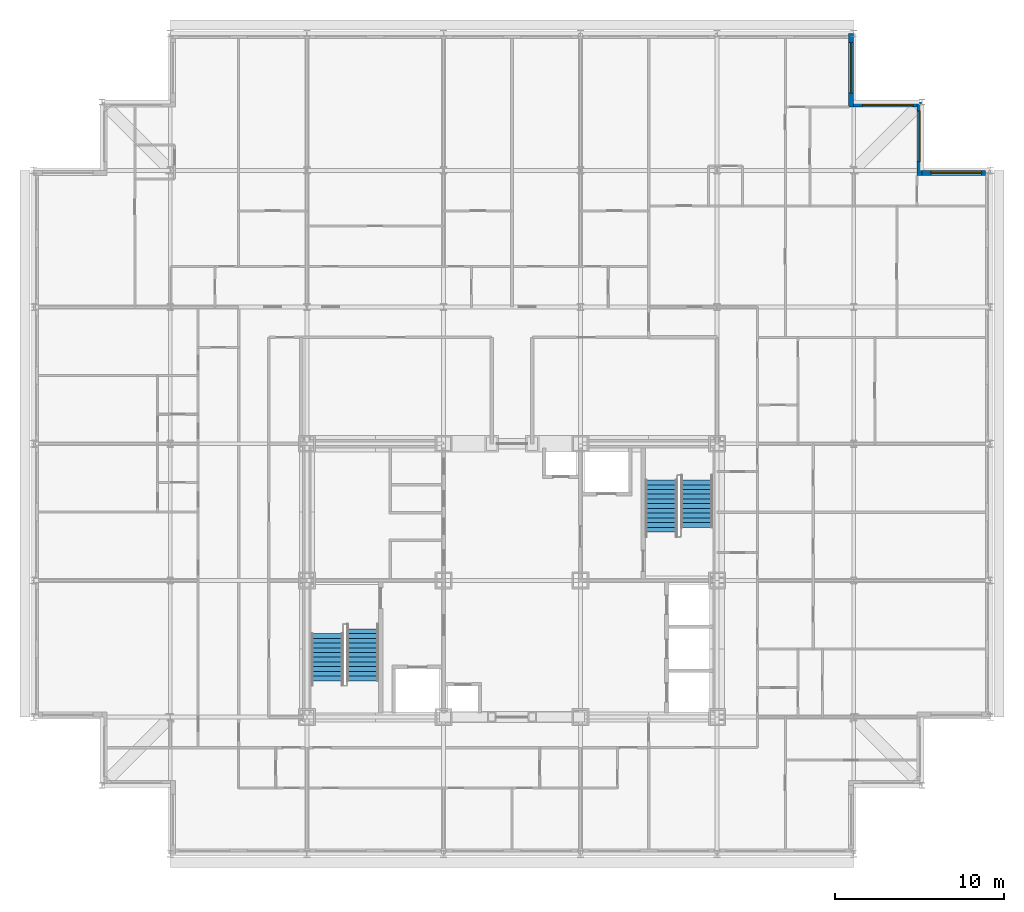
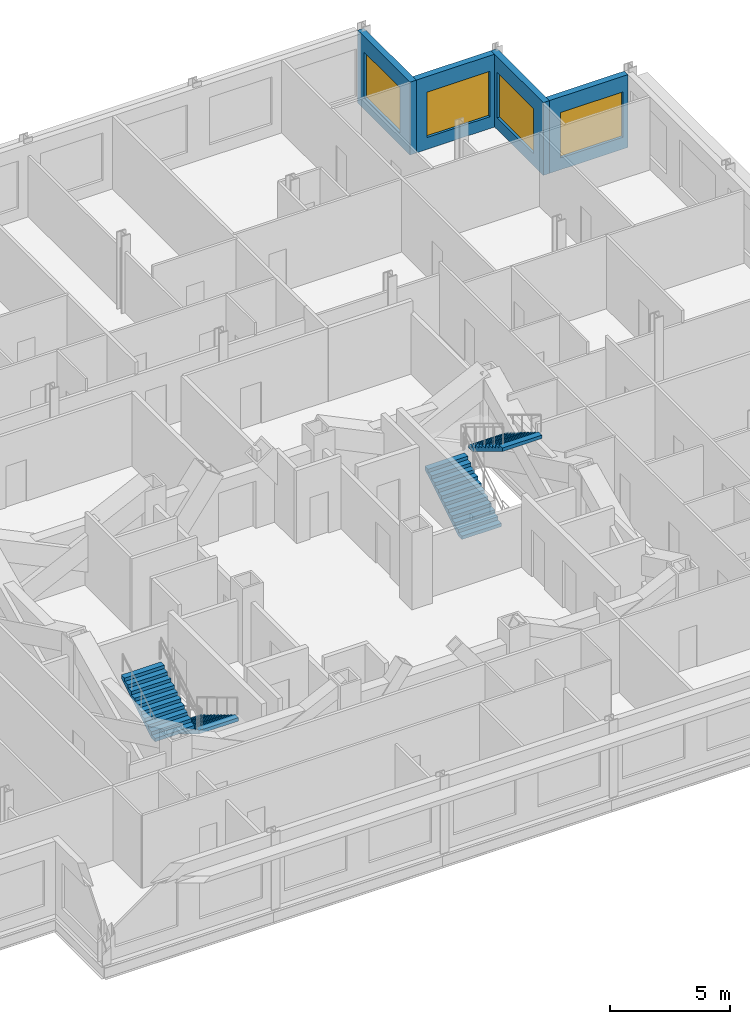
# One storey, part 14 of 15: 4 stair flights, 4 walls, 4 windows, 4 openings, 2 elements without a shape of their own.
"""IFC4 building model written with IfcOpenShell, lengths in metres."""

from ifc_helpers import new_model, si_unit, direction, frame, frame_2d, origin, place, context, subcontext, project, spatial, rectangle, extrude, polygons, source, transform, mapped, material, layer, layer_set, type_object, element, fill, aggregate, save


model = new_model("IFC4")

# Units and contexts
model_context = context("Model", 3, precision=1e-05, world=origin(), true_north=direction((0.0, 1.0)))
body_context = subcontext(model_context, "Body", "Model", "MODEL_VIEW")
ifc_project = project(units=[si_unit("LENGTHUNIT", "METRE"), si_unit("AREAUNIT", "SQUARE_METRE"), si_unit("VOLUMEUNIT", "CUBIC_METRE"), si_unit("PLANEANGLEUNIT", "RADIAN"), si_unit("MASSUNIT", "GRAM", prefix="KILO")], contexts=[model_context])

# Site, building, storey
site_placement = place(None, origin())
site = spatial("IfcSite", under=ifc_project, at=site_placement, CompositionType="ELEMENT")
building_placement = place(site_placement, origin())
building = spatial("IfcBuilding", under=site, at=building_placement, Name="Kopane Lantern Tower", CompositionType="ELEMENT")
storey_placement = place(building_placement, frame((0.0, 0.0, 281.39990234375)))
storey = spatial("IfcBuildingStorey", under=building, at=storey_placement, Name="L72", CompositionType="ELEMENT", Elevation=281.39990234375)

# Wall, opening, window
ifc_material_1 = material(Name="Terracotta rainscreen on light steel framing", Category="masonry")
ifc_layer = layer(ifc_material_1, 0.300048828125)
ifc_layer_set = layer_set([ifc_layer], Name="EXTERNAL WALL EW1 300 TERRACOTTA")
wall_type = type_object("IfcWallType", Name="EXTERNAL WALL EW1 300 TERRACOTTA", PredefinedType="SOLIDWALL", material=ifc_layer_set)
wall_1_placement = place(storey_placement, frame((56.39990234375, 56.550048828125, 0.0), z_axis=(0.0, 0.0, 1.0), x_axis=(-1.0, 0.0, 0.0)))
wall_1 = element("IfcWall", 1, at=wall_1_placement, inside=storey, type_object=wall_type, Name="External wall N L72", PredefinedType="SOLIDWALL", context=body_context, shape_type="SweptSolid", body=[
    extrude(rectangle(XDim=3.75, YDim=0.300048828125, at=frame_2d((1.875, 0.0))), origin(), (0.0, 0.0, 1.0), 3.690185546875),
])
opening_1_placement = place(wall_1_placement, frame((0.22509765625, 0.0, 0.60009765625)))
opening_1 = element("IfcOpeningElement", 2, at=opening_1_placement, cuts=wall_1, Name="Opening WR300230", PredefinedType="OPENING", context=body_context, shape_type="SweptSolid", body=[
    extrude(rectangle(XDim=3.0, YDim=2.300048828125, at=frame_2d((1.5, 1.14990234375))), frame((0.0, 0.159912109375, 0.0), z_axis=(0.0, -1.0, 0.0), x_axis=(1.0, 0.0, 0.0)), (0.0, 0.0, 1.0), 0.320068359375),
])
ifc_material_2 = material(Name="Aluminium and clear glass", Category="aluminium")
window_type = type_object("IfcWindowType", Name="RIBBON WINDOW WR300230 3000x2300", PartitioningType="SINGLE_PANEL", PredefinedType="WINDOW", material=ifc_material_2)
window_1_placement = place(opening_1_placement, origin())
window_1 = element("IfcWindow", 3, at=window_1_placement, inside=storey, type_object=window_type, Name="Window N L72", OverallHeight=2.300048828125, OverallWidth=3.0, PartitioningType="SINGLE_PANEL", PredefinedType="WINDOW", context=body_context, shape_type="SweptSolid", body=[
    extrude(rectangle(XDim=3.0, YDim=2.300048828125, at=frame_2d((1.5, 1.14990234375))), frame((0.0, 0.030029296875, 0.0), z_axis=(0.0, -1.0, 0.0), x_axis=(1.0, 0.0, 0.0)), (0.0, 0.0, 1.0), 0.06005859375),
])
fill(opening_1, window_1)

wall_2_placement = place(storey_placement, frame((52.5, 56.39990234375, 0.0), z_axis=(0.0, 0.0, 1.0), x_axis=(0.0, 1.0, 0.0)))
wall_2 = element("IfcWall", 4, at=wall_2_placement, inside=storey, type_object=wall_type, Name="External wall E L72", PredefinedType="SOLIDWALL", context=body_context, shape_type="SweptSolid", body=[
    extrude(rectangle(XDim=4.35009765625, YDim=0.300048828125, at=frame_2d((2.175048828125, 0.0))), origin(), (0.0, 0.0, 1.0), 3.690185546875),
])
opening_2_placement = place(wall_2_placement, frame((0.824951171875, 0.0, 0.60009765625)))
opening_2 = element("IfcOpeningElement", 5, at=opening_2_placement, cuts=wall_2, Name="Opening WR300230", PredefinedType="OPENING", context=body_context, shape_type="SweptSolid", body=[
    extrude(rectangle(XDim=3.0, YDim=2.300048828125, at=frame_2d((1.5, 1.14990234375))), frame((0.0, 0.159912109375, 0.0), z_axis=(0.0, -1.0, 0.0), x_axis=(1.0, 0.0, 0.0)), (0.0, 0.0, 1.0), 0.320068359375),
])
window_2_placement = place(opening_2_placement, origin())
window_2 = element("IfcWindow", 6, at=window_2_placement, inside=storey, type_object=window_type, Name="Window E L72", OverallHeight=2.300048828125, OverallWidth=3.0, PartitioningType="SINGLE_PANEL", PredefinedType="WINDOW", context=body_context, shape_type="SweptSolid", body=[
    extrude(rectangle(XDim=3.0, YDim=2.300048828125, at=frame_2d((1.5, 1.14990234375))), frame((0.0, 0.030029296875, 0.0), z_axis=(0.0, -1.0, 0.0), x_axis=(1.0, 0.0, 0.0)), (0.0, 0.0, 1.0), 0.06005859375),
])
fill(opening_2, window_2)

wall_3_placement = place(storey_placement, frame((52.35009765625, 60.60009765625, 0.0), z_axis=(0.0, 0.0, 1.0), x_axis=(-1.0, 0.0, 0.0)))
wall_3 = element("IfcWall", 7, at=wall_3_placement, inside=storey, type_object=wall_type, Name="External wall N L72", PredefinedType="SOLIDWALL", context=body_context, shape_type="SweptSolid", body=[
    extrude(rectangle(XDim=3.75, YDim=0.300048828125, at=frame_2d((1.875, 0.0))), origin(), (0.0, 0.0, 1.0), 3.690185546875),
])
opening_3_placement = place(wall_3_placement, frame((0.22509765625, 0.0, 0.60009765625)))
opening_3 = element("IfcOpeningElement", 8, at=opening_3_placement, cuts=wall_3, Name="Opening WR300230", PredefinedType="OPENING", context=body_context, shape_type="SweptSolid", body=[
    extrude(rectangle(XDim=3.0, YDim=2.300048828125, at=frame_2d((1.5, 1.14990234375))), frame((0.0, 0.159912109375, 0.0), z_axis=(0.0, -1.0, 0.0), x_axis=(1.0, 0.0, 0.0)), (0.0, 0.0, 1.0), 0.320068359375),
])
window_3_placement = place(opening_3_placement, origin())
window_3 = element("IfcWindow", 9, at=window_3_placement, inside=storey, type_object=window_type, Name="Window N L72", OverallHeight=2.300048828125, OverallWidth=3.0, PartitioningType="SINGLE_PANEL", PredefinedType="WINDOW", context=body_context, shape_type="SweptSolid", body=[
    extrude(rectangle(XDim=3.0, YDim=2.300048828125, at=frame_2d((1.5, 1.14990234375))), frame((0.0, 0.030029296875, 0.0), z_axis=(0.0, -1.0, 0.0), x_axis=(1.0, 0.0, 0.0)), (0.0, 0.0, 1.0), 0.06005859375),
])
fill(opening_3, window_3)

wall_4_placement = place(storey_placement, frame((48.449951171875, 60.449951171875, 0.0), z_axis=(0.0, 0.0, 1.0), x_axis=(0.0, 1.0, 0.0)))
wall_4 = element("IfcWall", 10, at=wall_4_placement, inside=storey, type_object=wall_type, Name="External wall E L72", PredefinedType="SOLIDWALL", context=body_context, shape_type="SweptSolid", body=[
    extrude(rectangle(XDim=4.35009765625, YDim=0.300048828125, at=frame_2d((2.175048828125, 0.0))), origin(), (0.0, 0.0, 1.0), 3.690185546875),
])
opening_4_placement = place(wall_4_placement, frame((0.824951171875, 0.0, 0.60009765625)))
opening_4 = element("IfcOpeningElement", 11, at=opening_4_placement, cuts=wall_4, Name="Opening WR300230", PredefinedType="OPENING", context=body_context, shape_type="SweptSolid", body=[
    extrude(rectangle(XDim=3.0, YDim=2.300048828125, at=frame_2d((1.5, 1.14990234375))), frame((0.0, 0.159912109375, 0.0), z_axis=(0.0, -1.0, 0.0), x_axis=(1.0, 0.0, 0.0)), (0.0, 0.0, 1.0), 0.320068359375),
])
window_4_placement = place(opening_4_placement, origin())
window_4 = element("IfcWindow", 12, at=window_4_placement, inside=storey, type_object=window_type, Name="Window E L72", OverallHeight=2.300048828125, OverallWidth=3.0, PartitioningType="SINGLE_PANEL", PredefinedType="WINDOW", context=body_context, shape_type="SweptSolid", body=[
    extrude(rectangle(XDim=3.0, YDim=2.300048828125, at=frame_2d((1.5, 1.14990234375))), frame((0.0, 0.030029296875, 0.0), z_axis=(0.0, -1.0, 0.0), x_axis=(1.0, 0.0, 0.0)), (0.0, 0.0, 1.0), 0.06005859375),
])
fill(opening_4, window_4)

# Stair, stair flight
ifc_material_3 = material(Name="Steel S355JR", Category="steel")
stair_type = type_object("IfcStairType", Name="EXIT STAIR 1900 HALF TURN", PredefinedType="HALF_TURN_STAIR", material=ifc_material_3)
stair_1_placement = place(storey_placement, origin())
stair_1 = element("IfcStair", 13, at=stair_1_placement, inside=storey, type_object=stair_type, Name="Exit stair ST1 L72", PredefinedType="HALF_TURN_STAIR")
ifc_material_4 = material(Name="Steel S355JR", Category="steel")
stair_flight_type = type_object("IfcStairFlightType", Name="STAIR FLIGHT 1900 STEEL", PredefinedType="STRAIGHT", material=ifc_material_4)
shared_shape_1 = source(origin(), body_context, "Body", "Tessellation", [
    polygons([(3.080078125, 0.949951172, 1.865234375), (2.800048828, 0.949951172, 1.865234375), (2.800048828, -0.949951172, 1.865234375), (3.080078125, -0.949951172, 1.865234375), (0.289306641, 0.949951172, 0.0), (3.080078125, 0.949951172, 1.689941406), (3.080078125, -0.949951172, 1.689941406), (0.289306641, -0.949951172, 0.0), (0.0, 0.949951172, 0.0), (0.0, -0.949951172, 0.0), (0.280029297, 0.949951172, 0.169677734), (0.0, 0.949951172, 0.169677734), (0.0, -0.949951172, 0.169677734), (0.280029297, -0.949951172, 0.169677734), (0.280029297, 0.949951172, 0.339111328), (0.280029297, -0.949951172, 0.339111328), (0.560058594, 0.949951172, 0.339111328), (0.560058594, -0.949951172, 0.339111328), (0.560058594, 0.949951172, 0.508789062), (0.560058594, -0.949951172, 0.508789062), (0.840087891, 0.949951172, 0.508789062), (0.840087891, -0.949951172, 0.508789062), (0.840087891, 0.949951172, 0.678222656), (0.840087891, -0.949951172, 0.678222656), (1.120117188, 0.949951172, 0.678222656), (1.120117188, -0.949951172, 0.678222656), (1.120117188, 0.949951172, 0.847900391), (1.120117188, -0.949951172, 0.847900391), (1.399902344, 0.949951172, 0.847900391), (1.399902344, -0.949951172, 0.847900391), (1.399902344, 0.949951172, 1.017333984), (1.399902344, -0.949951172, 1.017333984), (1.679931641, 0.949951172, 1.017333984), (1.679931641, -0.949951172, 1.017333984), (1.679931641, 0.949951172, 1.187011719), (1.679931641, -0.949951172, 1.187011719), (1.959960938, 0.949951172, 1.187011719), (1.959960938, -0.949951172, 1.187011719), (1.959960938, 0.949951172, 1.356445312), (1.959960938, -0.949951172, 1.356445312), (2.239990234, 0.949951172, 1.356445312), (2.239990234, -0.949951172, 1.356445312), (2.239990234, 0.949951172, 1.526123047), (2.239990234, -0.949951172, 1.526123047), (2.520019531, 0.949951172, 1.526123047), (2.520019531, -0.949951172, 1.526123047), (2.520019531, 0.949951172, 1.695556641), (2.520019531, -0.949951172, 1.695556641), (2.800048828, 0.949951172, 1.695556641), (2.800048828, -0.949951172, 1.695556641), (0.0, 0.0, 0.004585885), (0.0, 0.0, 0.009171769), (0.0, 0.0, 0.013757654), (0.0, 0.0, 0.018343539), (0.0, 0.0, 0.022929424), (0.0, 0.0, 0.027515308), (0.0, 0.0, 0.032101193), (0.0, 0.0, 0.036687078), (0.0, 0.0, 0.041272962), (0.0, 0.0, 0.045858847), (0.0, 0.0, 0.050444732), (0.0, 0.0, 0.055030617), (0.0, 0.0, 0.059616501), (0.0, 0.0, 0.064202386), (0.0, 0.0, 0.068788271), (0.0, 0.0, 0.073374155), (0.0, 0.0, 0.07796004), (0.0, 0.0, 0.082545925), (0.0, 0.0, 0.08713181), (0.0, 0.0, 0.091717694), (0.0, 0.0, 0.096303579), (0.0, 0.0, 0.100889464), (0.0, 0.0, 0.105475348), (0.0, 0.0, 0.110061233), (0.0, 0.0, 0.114647118), (0.0, 0.0, 0.119233003), (0.0, 0.0, 0.123818887), (0.0, 0.0, 0.128404772), (0.0, 0.0, 0.132990657), (0.0, 0.0, 0.137576541), (0.0, 0.0, 0.142162426), (0.0, 0.0, 0.146748311), (0.0, 0.0, 0.151334196), (0.0, 0.0, 0.15592008), (0.0, 0.0, 0.160505965), (0.0, 0.0, 0.16509185), (3.080078125, 0.0, 1.694679054), (3.080078125, 0.0, 1.699416702), (3.080078125, 0.0, 1.70415435), (3.080078125, 0.0, 1.708891997), (3.080078125, 0.0, 1.713629645), (3.080078125, 0.0, 1.718367293), (3.080078125, 0.0, 1.723104941), (3.080078125, 0.0, 1.727842589), (3.080078125, 0.0, 1.732580236), (3.080078125, 0.0, 1.737317884), (3.080078125, 0.0, 1.742055532), (3.080078125, 0.0, 1.74679318), (3.080078125, 0.0, 1.751530828), (3.080078125, 0.0, 1.756268476), (3.080078125, 0.0, 1.761006123), (3.080078125, 0.0, 1.765743771), (3.080078125, 0.0, 1.770481419), (3.080078125, 0.0, 1.775219067), (3.080078125, 0.0, 1.779956715), (3.080078125, 0.0, 1.784694362), (3.080078125, 0.0, 1.78943201), (3.080078125, 0.0, 1.794169658), (3.080078125, 0.0, 1.798907306), (3.080078125, 0.0, 1.803644954), (3.080078125, 0.0, 1.808382601), (3.080078125, 0.0, 1.813120249), (3.080078125, 0.0, 1.817857897), (3.080078125, 0.0, 1.822595545), (3.080078125, 0.0, 1.827333193), (3.080078125, 0.0, 1.83207084), (3.080078125, 0.0, 1.836808488), (3.080078125, 0.0, 1.841546136), (3.080078125, 0.0, 1.846283784), (3.080078125, 0.0, 1.851021432), (3.080078125, 0.0, 1.855759079), (3.080078125, 0.0, 1.860496727)], [[[1, 2, 3]], [[1, 3, 4]], [[5, 6, 7]], [[5, 7, 8]], [[9, 5, 8]], [[9, 8, 10]], [[11, 12, 13]], [[11, 13, 14]], [[15, 11, 14]], [[15, 14, 16]], [[17, 15, 16]], [[17, 16, 18]], [[19, 17, 18]], [[19, 18, 20]], [[21, 19, 20]], [[21, 20, 22]], [[23, 21, 22]], [[23, 22, 24]], [[25, 23, 24]], [[25, 24, 26]], [[27, 25, 26]], [[27, 26, 28]], [[29, 27, 28]], [[29, 28, 30]], [[31, 29, 30]], [[31, 30, 32]], [[33, 31, 32]], [[33, 32, 34]], [[35, 33, 34]], [[35, 34, 36]], [[37, 35, 36]], [[37, 36, 38]], [[39, 37, 38]], [[39, 38, 40]], [[41, 39, 40]], [[41, 40, 42]], [[43, 41, 42]], [[43, 42, 44]], [[45, 43, 44]], [[45, 44, 46]], [[47, 45, 46]], [[47, 46, 48]], [[49, 47, 48]], [[49, 48, 50]], [[2, 49, 50]], [[2, 50, 3]], [[49, 1, 6]], [[45, 49, 6]], [[2, 1, 49]], [[41, 45, 6]], [[47, 49, 45]], [[37, 41, 6]], [[43, 45, 41]], [[39, 41, 37]], [[35, 37, 33]], [[31, 33, 29]], [[5, 21, 25]], [[27, 29, 25]], [[17, 21, 5]], [[23, 25, 21]], [[11, 17, 5]], [[19, 21, 17]], [[9, 11, 5]], [[15, 17, 11]], [[12, 11, 9]], [[6, 5, 25]], [[6, 25, 29]], [[6, 29, 33]], [[6, 33, 37]], [[7, 4, 50]], [[7, 50, 46]], [[50, 4, 3]], [[7, 46, 42]], [[46, 50, 48]], [[7, 42, 38]], [[42, 46, 44]], [[38, 42, 40]], [[34, 38, 36]], [[30, 34, 32]], [[26, 22, 8]], [[26, 30, 28]], [[8, 22, 18]], [[22, 26, 24]], [[8, 18, 14]], [[18, 22, 20]], [[8, 14, 10]], [[14, 18, 16]], [[10, 14, 13]], [[26, 8, 7]], [[30, 26, 7]], [[34, 30, 7]], [[38, 34, 7]], [[10, 51, 9]], [[10, 52, 51]], [[9, 51, 52]], [[10, 53, 52]], [[9, 52, 53]], [[10, 54, 53]], [[9, 53, 54]], [[10, 55, 54]], [[9, 54, 55]], [[10, 56, 55]], [[9, 55, 56]], [[10, 57, 56]], [[9, 56, 57]], [[10, 58, 57]], [[9, 57, 58]], [[10, 59, 58]], [[9, 58, 59]], [[10, 60, 59]], [[9, 59, 60]], [[10, 61, 60]], [[9, 60, 61]], [[10, 62, 61]], [[9, 61, 62]], [[10, 63, 62]], [[9, 62, 63]], [[10, 64, 63]], [[9, 63, 64]], [[10, 65, 64]], [[9, 64, 65]], [[10, 66, 65]], [[9, 65, 66]], [[10, 67, 66]], [[9, 66, 67]], [[10, 68, 67]], [[9, 67, 68]], [[10, 69, 68]], [[9, 68, 69]], [[10, 70, 69]], [[9, 69, 70]], [[10, 71, 70]], [[9, 70, 71]], [[10, 72, 71]], [[9, 71, 72]], [[10, 73, 72]], [[9, 72, 73]], [[10, 74, 73]], [[9, 73, 74]], [[10, 75, 74]], [[9, 74, 75]], [[10, 76, 75]], [[9, 75, 76]], [[10, 77, 76]], [[9, 76, 77]], [[10, 78, 77]], [[9, 77, 78]], [[10, 79, 78]], [[9, 78, 79]], [[10, 80, 79]], [[9, 79, 80]], [[10, 81, 80]], [[9, 80, 81]], [[10, 82, 81]], [[9, 81, 82]], [[10, 83, 82]], [[9, 82, 83]], [[10, 84, 83]], [[9, 83, 84]], [[10, 85, 84]], [[9, 84, 85]], [[10, 86, 85]], [[9, 85, 86]], [[10, 13, 86]], [[86, 13, 12]], [[9, 86, 12]], [[7, 6, 87]], [[7, 87, 88]], [[6, 88, 87]], [[7, 88, 89]], [[6, 89, 88]], [[7, 89, 90]], [[6, 90, 89]], [[7, 90, 91]], [[6, 91, 90]], [[7, 91, 92]], [[6, 92, 91]], [[7, 92, 93]], [[6, 93, 92]], [[7, 93, 94]], [[6, 94, 93]], [[7, 94, 95]], [[6, 95, 94]], [[7, 95, 96]], [[6, 96, 95]], [[7, 96, 97]], [[6, 97, 96]], [[7, 97, 98]], [[6, 98, 97]], [[7, 98, 99]], [[6, 99, 98]], [[7, 99, 100]], [[6, 100, 99]], [[7, 100, 101]], [[6, 101, 100]], [[7, 101, 102]], [[6, 102, 101]], [[7, 102, 103]], [[6, 103, 102]], [[7, 103, 104]], [[6, 104, 103]], [[7, 104, 105]], [[6, 105, 104]], [[7, 105, 106]], [[6, 106, 105]], [[7, 106, 107]], [[6, 107, 106]], [[7, 107, 108]], [[6, 108, 107]], [[7, 108, 109]], [[6, 109, 108]], [[7, 109, 110]], [[6, 110, 109]], [[7, 110, 111]], [[6, 111, 110]], [[7, 111, 112]], [[6, 112, 111]], [[7, 112, 113]], [[6, 113, 112]], [[7, 113, 114]], [[6, 114, 113]], [[7, 114, 115]], [[6, 115, 114]], [[7, 115, 116]], [[6, 116, 115]], [[7, 116, 117]], [[6, 117, 116]], [[7, 117, 118]], [[6, 118, 117]], [[7, 118, 119]], [[6, 119, 118]], [[7, 119, 120]], [[6, 120, 119]], [[7, 120, 121]], [[6, 121, 120]], [[7, 121, 122]], [[6, 122, 121]], [[7, 122, 4]], [[122, 1, 4]], [[6, 1, 122]]], closed=True),
])
stair_flight_1_placement = place(storey_placement, frame((19.5, 29.530029296875, 0.0), z_axis=(0.0, 0.0, 1.0), x_axis=(0.0, -1.0, 0.0)))
stair_flight_1 = element("IfcStairFlight", 14, at=stair_flight_1_placement, type_object=stair_flight_type, Name="ST1 flight 1", NumberOfRisers=12, NumberOfTreads=11, PredefinedType="STRAIGHT", RiserHeight=0.169565217, TreadLength=0.28, context=body_context, shape_type="MappedRepresentation", body=[
    mapped(shared_shape_1, transform((0.0, 0.0, 0.0))),
])

stair_2_placement = place(storey_placement, origin())
stair_2 = element("IfcStair", 15, at=stair_2_placement, inside=storey, type_object=stair_type, Name="Exit stair ST2 L72", PredefinedType="HALF_TURN_STAIR")
stair_flight_2_placement = place(storey_placement, frame((37.199951171875, 35.27001953125, 0.0), z_axis=(0.0, 0.0, 1.0), x_axis=(0.0, 1.0, 0.0)))
stair_flight_2 = element("IfcStairFlight", 16, at=stair_flight_2_placement, type_object=stair_flight_type, Name="ST2 flight 1", NumberOfRisers=12, NumberOfTreads=11, PredefinedType="STRAIGHT", RiserHeight=0.169565217, TreadLength=0.28, context=body_context, shape_type="MappedRepresentation", body=[
    mapped(shared_shape_1, transform((0.0, 0.0, 0.0))),
])

# Stair flight
shared_shape_2 = source(origin(), body_context, "Body", "Tessellation", [
    polygons([(2.800048828, 0.949951172, 1.695556641), (2.520019531, 0.949951172, 1.695556641), (2.520019531, -0.949951172, 1.695556641), (2.800048828, -0.949951172, 1.695556641), (0.289306641, 0.949951172, 0.0), (2.800048828, 0.949951172, 1.520507812), (2.800048828, -0.949951172, 1.520507812), (0.289306641, -0.949951172, 0.0), (0.0, 0.949951172, 0.0), (0.0, -0.949951172, 0.0), (0.280029297, 0.949951172, 0.169677734), (0.0, 0.949951172, 0.169677734), (0.0, -0.949951172, 0.169677734), (0.280029297, -0.949951172, 0.169677734), (0.280029297, 0.949951172, 0.339111328), (0.280029297, -0.949951172, 0.339111328), (0.560058594, 0.949951172, 0.339111328), (0.560058594, -0.949951172, 0.339111328), (0.560058594, 0.949951172, 0.508789062), (0.560058594, -0.949951172, 0.508789062), (0.840087891, 0.949951172, 0.508789062), (0.840087891, -0.949951172, 0.508789062), (0.840087891, 0.949951172, 0.678222656), (0.840087891, -0.949951172, 0.678222656), (1.120117188, 0.949951172, 0.678222656), (1.120117188, -0.949951172, 0.678222656), (1.120117188, 0.949951172, 0.847900391), (1.120117188, -0.949951172, 0.847900391), (1.399902344, 0.949951172, 0.847900391), (1.399902344, -0.949951172, 0.847900391), (1.399902344, 0.949951172, 1.017333984), (1.399902344, -0.949951172, 1.017333984), (1.679931641, 0.949951172, 1.017333984), (1.679931641, -0.949951172, 1.017333984), (1.679931641, 0.949951172, 1.187011719), (1.679931641, -0.949951172, 1.187011719), (1.959960938, 0.949951172, 1.187011719), (1.959960938, -0.949951172, 1.187011719), (1.959960938, 0.949951172, 1.356445312), (1.959960938, -0.949951172, 1.356445312), (2.239990234, 0.949951172, 1.356445312), (2.239990234, -0.949951172, 1.356445312), (2.239990234, 0.949951172, 1.526123047), (2.239990234, -0.949951172, 1.526123047), (2.520019531, 0.949951172, 1.526123047), (2.520019531, -0.949951172, 1.526123047), (0.0, 0.0, 0.004585885), (0.0, 0.0, 0.009171769), (0.0, 0.0, 0.013757654), (0.0, 0.0, 0.018343539), (0.0, 0.0, 0.022929424), (0.0, 0.0, 0.027515308), (0.0, 0.0, 0.032101193), (0.0, 0.0, 0.036687078), (0.0, 0.0, 0.041272962), (0.0, 0.0, 0.045858847), (0.0, 0.0, 0.050444732), (0.0, 0.0, 0.055030617), (0.0, 0.0, 0.059616501), (0.0, 0.0, 0.064202386), (0.0, 0.0, 0.068788271), (0.0, 0.0, 0.073374155), (0.0, 0.0, 0.07796004), (0.0, 0.0, 0.082545925), (0.0, 0.0, 0.08713181), (0.0, 0.0, 0.091717694), (0.0, 0.0, 0.096303579), (0.0, 0.0, 0.100889464), (0.0, 0.0, 0.105475348), (0.0, 0.0, 0.110061233), (0.0, 0.0, 0.114647118), (0.0, 0.0, 0.119233003), (0.0, 0.0, 0.123818887), (0.0, 0.0, 0.128404772), (0.0, 0.0, 0.132990657), (0.0, 0.0, 0.137576541), (0.0, 0.0, 0.142162426), (0.0, 0.0, 0.146748311), (0.0, 0.0, 0.151334196), (0.0, 0.0, 0.15592008), (0.0, 0.0, 0.160505965), (0.0, 0.0, 0.16509185), (2.800048828, 0.0, 1.525238862), (2.800048828, 0.0, 1.529969911), (2.800048828, 0.0, 1.534700961), (2.800048828, 0.0, 1.53943201), (2.800048828, 0.0, 1.54416306), (2.800048828, 0.0, 1.548894109), (2.800048828, 0.0, 1.553625158), (2.800048828, 0.0, 1.558356208), (2.800048828, 0.0, 1.563087257), (2.800048828, 0.0, 1.567818307), (2.800048828, 0.0, 1.572549356), (2.800048828, 0.0, 1.577280405), (2.800048828, 0.0, 1.582011455), (2.800048828, 0.0, 1.586742504), (2.800048828, 0.0, 1.591473554), (2.800048828, 0.0, 1.596204603), (2.800048828, 0.0, 1.600935652), (2.800048828, 0.0, 1.605666702), (2.800048828, 0.0, 1.610397751), (2.800048828, 0.0, 1.615128801), (2.800048828, 0.0, 1.61985985), (2.800048828, 0.0, 1.624590899), (2.800048828, 0.0, 1.629321949), (2.800048828, 0.0, 1.634052998), (2.800048828, 0.0, 1.638784048), (2.800048828, 0.0, 1.643515097), (2.800048828, 0.0, 1.648246147), (2.800048828, 0.0, 1.652977196), (2.800048828, 0.0, 1.657708245), (2.800048828, 0.0, 1.662439295), (2.800048828, 0.0, 1.667170344), (2.800048828, 0.0, 1.671901394), (2.800048828, 0.0, 1.676632443), (2.800048828, 0.0, 1.681363492), (2.800048828, 0.0, 1.686094542), (2.800048828, 0.0, 1.690825591)], [[[1, 2, 3]], [[1, 3, 4]], [[5, 6, 7]], [[5, 7, 8]], [[9, 5, 8]], [[9, 8, 10]], [[11, 12, 13]], [[11, 13, 14]], [[15, 11, 14]], [[15, 14, 16]], [[17, 15, 16]], [[17, 16, 18]], [[19, 17, 18]], [[19, 18, 20]], [[21, 19, 20]], [[21, 20, 22]], [[23, 21, 22]], [[23, 22, 24]], [[25, 23, 24]], [[25, 24, 26]], [[27, 25, 26]], [[27, 26, 28]], [[29, 27, 28]], [[29, 28, 30]], [[31, 29, 30]], [[31, 30, 32]], [[33, 31, 32]], [[33, 32, 34]], [[35, 33, 34]], [[35, 34, 36]], [[37, 35, 36]], [[37, 36, 38]], [[39, 37, 38]], [[39, 38, 40]], [[41, 39, 40]], [[41, 40, 42]], [[43, 41, 42]], [[43, 42, 44]], [[45, 43, 44]], [[45, 44, 46]], [[2, 45, 46]], [[2, 46, 3]], [[45, 1, 6]], [[41, 45, 6]], [[2, 1, 45]], [[37, 41, 6]], [[43, 45, 41]], [[39, 41, 37]], [[35, 37, 33]], [[31, 33, 29]], [[5, 21, 25]], [[27, 29, 25]], [[17, 21, 5]], [[23, 25, 21]], [[11, 17, 5]], [[19, 21, 17]], [[9, 11, 5]], [[15, 17, 11]], [[12, 11, 9]], [[6, 5, 25]], [[6, 25, 29]], [[6, 29, 33]], [[6, 33, 37]], [[7, 4, 46]], [[7, 46, 42]], [[46, 4, 3]], [[7, 42, 38]], [[42, 46, 44]], [[38, 42, 40]], [[34, 38, 36]], [[30, 34, 32]], [[26, 22, 8]], [[26, 30, 28]], [[8, 22, 18]], [[22, 26, 24]], [[8, 18, 14]], [[18, 22, 20]], [[8, 14, 10]], [[14, 18, 16]], [[10, 14, 13]], [[26, 8, 7]], [[30, 26, 7]], [[34, 30, 7]], [[38, 34, 7]], [[10, 47, 9]], [[10, 48, 47]], [[9, 47, 48]], [[10, 49, 48]], [[9, 48, 49]], [[10, 50, 49]], [[9, 49, 50]], [[10, 51, 50]], [[9, 50, 51]], [[10, 52, 51]], [[9, 51, 52]], [[10, 53, 52]], [[9, 52, 53]], [[10, 54, 53]], [[9, 53, 54]], [[10, 55, 54]], [[9, 54, 55]], [[10, 56, 55]], [[9, 55, 56]], [[10, 57, 56]], [[9, 56, 57]], [[10, 58, 57]], [[9, 57, 58]], [[10, 59, 58]], [[9, 58, 59]], [[10, 60, 59]], [[9, 59, 60]], [[10, 61, 60]], [[9, 60, 61]], [[10, 62, 61]], [[9, 61, 62]], [[10, 63, 62]], [[9, 62, 63]], [[10, 64, 63]], [[9, 63, 64]], [[10, 65, 64]], [[9, 64, 65]], [[10, 66, 65]], [[9, 65, 66]], [[10, 67, 66]], [[9, 66, 67]], [[10, 68, 67]], [[9, 67, 68]], [[10, 69, 68]], [[9, 68, 69]], [[10, 70, 69]], [[9, 69, 70]], [[10, 71, 70]], [[9, 70, 71]], [[10, 72, 71]], [[9, 71, 72]], [[10, 73, 72]], [[9, 72, 73]], [[10, 74, 73]], [[9, 73, 74]], [[10, 75, 74]], [[9, 74, 75]], [[10, 76, 75]], [[9, 75, 76]], [[10, 77, 76]], [[9, 76, 77]], [[10, 78, 77]], [[9, 77, 78]], [[10, 79, 78]], [[9, 78, 79]], [[10, 80, 79]], [[9, 79, 80]], [[10, 81, 80]], [[9, 80, 81]], [[10, 82, 81]], [[9, 81, 82]], [[10, 13, 82]], [[82, 13, 12]], [[9, 82, 12]], [[7, 6, 83]], [[7, 83, 84]], [[6, 84, 83]], [[7, 84, 85]], [[6, 85, 84]], [[7, 85, 86]], [[6, 86, 85]], [[7, 86, 87]], [[6, 87, 86]], [[7, 87, 88]], [[6, 88, 87]], [[7, 88, 89]], [[6, 89, 88]], [[7, 89, 90]], [[6, 90, 89]], [[7, 90, 91]], [[6, 91, 90]], [[7, 91, 92]], [[6, 92, 91]], [[7, 92, 93]], [[6, 93, 92]], [[7, 93, 94]], [[6, 94, 93]], [[7, 94, 95]], [[6, 95, 94]], [[7, 95, 96]], [[6, 96, 95]], [[7, 96, 97]], [[6, 97, 96]], [[7, 97, 98]], [[6, 98, 97]], [[7, 98, 99]], [[6, 99, 98]], [[7, 99, 100]], [[6, 100, 99]], [[7, 100, 101]], [[6, 101, 100]], [[7, 101, 102]], [[6, 102, 101]], [[7, 102, 103]], [[6, 103, 102]], [[7, 103, 104]], [[6, 104, 103]], [[7, 104, 105]], [[6, 105, 104]], [[7, 105, 106]], [[6, 106, 105]], [[7, 106, 107]], [[6, 107, 106]], [[7, 107, 108]], [[6, 108, 107]], [[7, 108, 109]], [[6, 109, 108]], [[7, 109, 110]], [[6, 110, 109]], [[7, 110, 111]], [[6, 111, 110]], [[7, 111, 112]], [[6, 112, 111]], [[7, 112, 113]], [[6, 113, 112]], [[7, 113, 114]], [[6, 114, 113]], [[7, 114, 115]], [[6, 115, 114]], [[7, 115, 116]], [[6, 116, 115]], [[7, 116, 117]], [[6, 117, 116]], [[7, 117, 118]], [[6, 118, 117]], [[7, 118, 4]], [[118, 1, 4]], [[6, 1, 118]]], closed=True),
])
stair_flight_3_placement = place(storey_placement, frame((17.39990234375, 26.449951171875, 2.034912109375), z_axis=(0.0, 0.0, 1.0), x_axis=(0.0, 1.0, 0.0)))
stair_flight_3 = element("IfcStairFlight", 17, at=stair_flight_3_placement, type_object=stair_flight_type, Name="ST1 flight 2", NumberOfRisers=11, NumberOfTreads=10, PredefinedType="STRAIGHT", RiserHeight=0.169565217, TreadLength=0.28, context=body_context, shape_type="MappedRepresentation", body=[
    mapped(shared_shape_2, transform((0.0, 0.0, 0.0))),
])

aggregate(stair_1, [stair_flight_1, stair_flight_3])

stair_flight_4_placement = place(storey_placement, frame((39.300048828125, 38.35009765625, 2.034912109375), z_axis=(0.0, 0.0, 1.0), x_axis=(0.0, -1.0, 0.0)))
stair_flight_4 = element("IfcStairFlight", 18, at=stair_flight_4_placement, type_object=stair_flight_type, Name="ST2 flight 2", NumberOfRisers=11, NumberOfTreads=10, PredefinedType="STRAIGHT", RiserHeight=0.169565217, TreadLength=0.28, context=body_context, shape_type="MappedRepresentation", body=[
    mapped(shared_shape_2, transform((0.0, 0.0, 0.0))),
])

aggregate(stair_2, [stair_flight_2, stair_flight_4])

save(model, "model.ifc")
